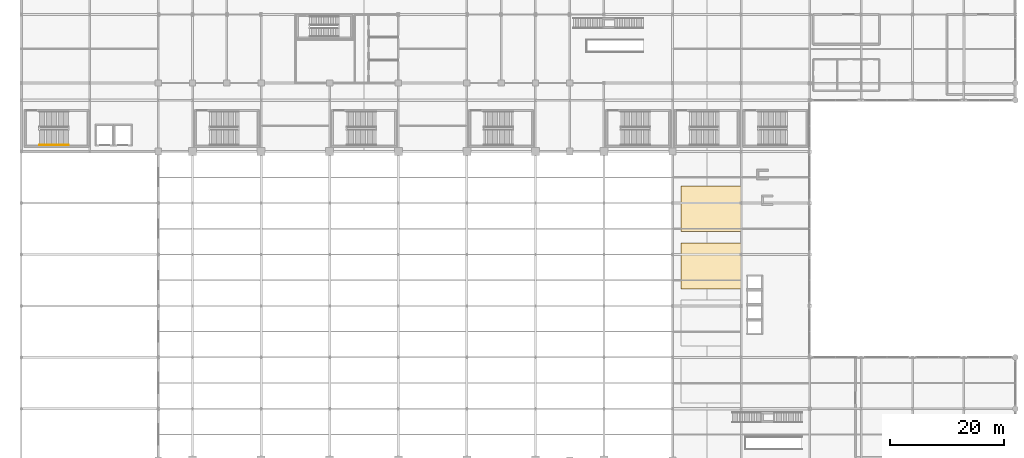
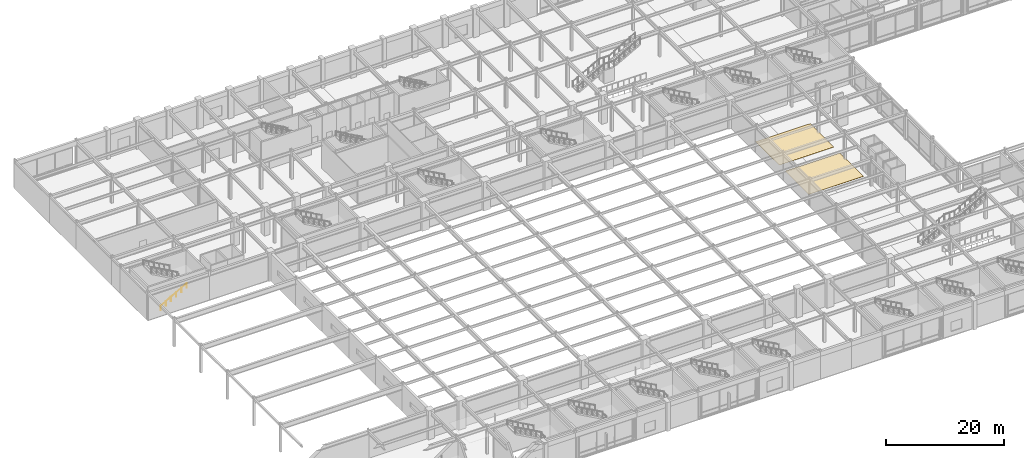
# One storey, part 99 of 105: 2 coverings, 1 railing.
"""IFC4 building model written with IfcOpenShell, lengths in metres."""

import ifcopenshell
import ifcopenshell.guid

model = None  # the IFC model being written
_history = None  # IfcOwnerHistory: only IFC2X3 demands one
_inside = {}  # id of a spatial element -> (the spatial element, [elements in it])
_under = {}  # id of a project, library or spatial element -> (it, [spatial elements below it])
_declared = {}  # id of a project -> (the project, [libraries it declares])
_typed = {}  # id of a type object -> (the type object, [elements of that type])
_made_of = {}  # id of a material, layer set ... -> (it, [elements and type objects made of it])


def new_model(schema):
    """Start an empty IFC model of exactly this schema.

    Asked for "IFC4X3", IfcOpenShell would pick the latest addendum, in which some entities
    have other attributes; the version numbers below select the first issue.
    IFC2X3 requires an IfcOwnerHistory on every rooted entity: one is made here for all.
    """
    global model, _history
    if schema == "IFC4X3":
        model = ifcopenshell.file(schema_version=(4, 3, 0, 0))
    else:
        model = ifcopenshell.file(schema=schema)
    _inside.clear()
    _under.clear()
    _declared.clear()
    _typed.clear()
    _made_of.clear()
    _history = None
    if model.schema == "IFC2X3":
        org = make("IfcOrganization", Name="unknown")
        user = make(
            "IfcPersonAndOrganization",
            ThePerson=make("IfcPerson", FamilyName="unknown"),
            TheOrganization=org,
        )
        app = make(
            "IfcApplication",
            ApplicationDeveloper=org,
            Version="unknown",
            ApplicationFullName="unknown",
            ApplicationIdentifier="unknown",
        )
        _history = make(
            "IfcOwnerHistory",
            OwningUser=user,
            OwningApplication=app,
            ChangeAction="ADDED",
            CreationDate=0,
        )
    return model


def make(cls, **values):
    """One entity of the class cls with the attributes given. An attribute that is None is left unset."""
    return model.create_entity(
        cls, **{name: value for name, value in values.items() if value is not None}
    )


def rooted(cls, **values):
    """An entity with a GlobalId (a new one), such as an element, a storey or a relation."""
    return make(cls, GlobalId=ifcopenshell.guid.new(), OwnerHistory=_history, **values)


def si_unit(unit_type, name, prefix=None):
    """IfcSIUnit, for example si_unit("LENGTHUNIT", "METRE", prefix="MILLI")."""
    return make("IfcSIUnit", UnitType=unit_type, Prefix=prefix, Name=name)


def assignment(units):
    """IfcUnitAssignment: the units of a project."""
    return None if units is None else make("IfcUnitAssignment", Units=units)


def point(xyz):
    """IfcCartesianPoint."""
    return None if xyz is None else make("IfcCartesianPoint", Coordinates=xyz)


def direction(xyz):
    """IfcDirection."""
    return None if xyz is None else make("IfcDirection", DirectionRatios=xyz)


def frame(location, z_axis=None, x_axis=None):
    """IfcAxis2Placement3D, a coordinate frame: its origin and axes. An axis left out is left unset."""
    return make(
        "IfcAxis2Placement3D",
        Location=point(location),
        Axis=direction(z_axis),
        RefDirection=direction(x_axis),
    )


def frame_2d(location, x_axis=None):
    """IfcAxis2Placement2D, a coordinate frame in the plane: its origin and x axis."""
    return make(
        "IfcAxis2Placement2D", Location=point(location), RefDirection=direction(x_axis)
    )


def origin():
    """The frame at (0, 0, 0) with its axes left unset."""
    return frame((0.0, 0.0, 0.0))


def origin_2d():
    """The frame at (0, 0) in the plane with its x axis left unset."""
    return frame_2d((0.0, 0.0))


def place(relative_to, where):
    """IfcLocalPlacement: puts the frame where relative to a parent placement (None: the world)."""
    return make(
        "IfcLocalPlacement", PlacementRelTo=relative_to, RelativePlacement=where
    )


def context(
    kind, dimensions, precision=None, world=None, true_north=None, identifier=None
):
    """IfcGeometricRepresentationContext, for example the 3D "Model" context."""
    return make(
        "IfcGeometricRepresentationContext",
        ContextIdentifier=identifier,
        ContextType=kind,
        CoordinateSpaceDimension=dimensions,
        Precision=precision,
        WorldCoordinateSystem=world,
        TrueNorth=true_north,
    )


def subcontext(parent, identifier, kind, view, scale=None):
    """IfcGeometricRepresentationSubContext, for example "Body" below "Model"."""
    return make(
        "IfcGeometricRepresentationSubContext",
        ContextIdentifier=identifier,
        ContextType=kind,
        ParentContext=parent,
        TargetScale=scale,
        TargetView=view,
    )


def project(units=None, contexts=None):
    """IfcProject with its units and contexts."""
    return rooted(
        "IfcProject",
        Name="project",
        RepresentationContexts=contexts,
        UnitsInContext=assignment(units),
    )


def spatial(cls, under=None, at=None, **own):
    """A site, building, storey or space (cls), placed at a placement, below another one or the project."""
    s = rooted(cls, ObjectPlacement=at, **own)
    if under is not None:
        _under.setdefault(under.id(), (under, []))[1].append(s)
    return s


def polyline(points):
    """IfcPolyline through the points."""
    return make("IfcPolyline", Points=[point(p) for p in points])


def profile(cls, at=None, kind="AREA", **sizes):
    """A parametric profile (cls). Its sizes go by their IFC names, for example OverallWidth=200.0."""
    return make(cls, ProfileType=kind, Position=at, **sizes)


def circle(**sizes):
    """IfcCircleProfileDef."""
    return profile("IfcCircleProfileDef", **sizes)


def outline(outer, holes=None, kind="AREA"):
    """IfcArbitraryClosedProfileDef: a profile drawn as a closed curve; with holes, ...WithVoids."""
    if holes is None:
        return make("IfcArbitraryClosedProfileDef", ProfileType=kind, OuterCurve=outer)
    return make(
        "IfcArbitraryProfileDefWithVoids",
        ProfileType=kind,
        OuterCurve=outer,
        InnerCurves=holes,
    )


def extrude(swept, where, along, depth):
    """IfcExtrudedAreaSolid: the profile swept, set in the frame where, extruded along a direction by depth."""
    return make(
        "IfcExtrudedAreaSolid",
        SweptArea=swept,
        Position=where,
        ExtrudedDirection=direction(along),
        Depth=depth,
    )


def shape(context_of_items, identifier, shape_type, items):
    """IfcShapeRepresentation: the items that make up one representation, for example the "Body"."""
    return make(
        "IfcShapeRepresentation",
        ContextOfItems=context_of_items,
        RepresentationIdentifier=identifier,
        RepresentationType=shape_type,
        Items=items,
    )


def material(Name=None, Category=None):
    """IfcMaterial."""
    return make("IfcMaterial", Name=Name, Category=Category)


def layer(
    of_material, thickness, ventilated=None, Name=None, Category=None, Priority=None
):
    """IfcMaterialLayer: one layer of a wall or slab, of a material (None: an air gap)."""
    return make(
        "IfcMaterialLayer",
        Material=of_material,
        LayerThickness=thickness,
        IsVentilated=ventilated,
        Name=Name,
        Category=Category,
        Priority=Priority,
    )


def layer_set(layers, Name=None):
    """IfcMaterialLayerSet."""
    return make("IfcMaterialLayerSet", MaterialLayers=layers, LayerSetName=Name)


def made_of(thing, what):
    """Note that an element or type object is made of a material, layer set ...; save() writes the relation."""
    if what is not None:
        _made_of.setdefault(what.id(), (what, []))[1].append(thing)
    return thing


def type_object(cls, material=None, **own):
    """A type object (cls), such as IfcWallType, which elements share."""
    return made_of(rooted(cls, **own), material)


def element(
    cls,
    number,
    at=None,
    inside=None,
    cuts=None,
    type_object=None,
    material=None,
    context=None,
    identifier="Body",
    shape_type=None,
    held_by="IfcProductDefinitionShape",
    body=None,
    shapes=None,
    **own,
):
    """One element of the class cls, such as IfcWall. Its Tag is "e" and its number.

    at: its placement. inside: the storey or other place that contains it. cuts: it is an
    opening in that element (IfcRelVoidsElement). A single representation is given by context,
    identifier, shape_type and body (its items); several are given by shapes. held_by: the class
    of the entity that holds the representations. save() writes the other relations.
    """
    e = rooted(cls, Tag="e%d" % number, ObjectPlacement=at, **own)
    if body is not None:
        shapes = [shape(context, identifier, shape_type, body)]
    if shapes is not None:
        e.Representation = make(held_by, Representations=shapes)
    if inside is not None:
        _inside.setdefault(inside.id(), (inside, []))[1].append(e)
    if cuts is not None:
        rooted(
            "IfcRelVoidsElement", RelatingBuildingElement=cuts, RelatedOpeningElement=e
        )
    if type_object is not None:
        _typed.setdefault(type_object.id(), (type_object, []))[1].append(e)
    return made_of(e, material)


def aggregate(whole, parts):
    """IfcRelAggregates: a whole, such as a stair, and the parts it consists of."""
    return rooted("IfcRelAggregates", RelatingObject=whole, RelatedObjects=parts)


def save(model, path):
    """Write the relations noted so far, then the file.

    IfcRelAggregates (storeys below a building ...), IfcRelContainedInSpatialStructure (elements
    in a storey), IfcRelDefinesByType, IfcRelAssociatesMaterial and IfcRelDeclares: one each for
    every whole, place, type object, material and project.
    """
    for whole, parts in _under.values():
        aggregate(whole, parts)
    for where, things in _inside.values():
        rooted(
            "IfcRelContainedInSpatialStructure",
            RelatedElements=things,
            RelatingStructure=where,
        )
    for kind, things in _typed.values():
        rooted("IfcRelDefinesByType", RelatedObjects=things, RelatingType=kind)
    for what, things in _made_of.values():
        rooted("IfcRelAssociatesMaterial", RelatedObjects=things, RelatingMaterial=what)
    for by, libraries in _declared.values():
        rooted("IfcRelDeclares", RelatingContext=by, RelatedDefinitions=libraries)
    model.write(path)


model = new_model("IFC4")

# Units and contexts
model_context = context("Model", 3, precision=1e-05, world=origin(), true_north=direction((0.0, 1.0)))
body_context = subcontext(model_context, "Body", "Model", "MODEL_VIEW")
ifc_project = project(units=[si_unit("LENGTHUNIT", "METRE"), si_unit("AREAUNIT", "SQUARE_METRE"), si_unit("VOLUMEUNIT", "CUBIC_METRE"), si_unit("PLANEANGLEUNIT", "RADIAN"), si_unit("MASSUNIT", "GRAM", prefix="KILO")], contexts=[model_context])

# Site, building, storey
site_placement = place(None, origin())
site = spatial("IfcSite", under=ifc_project, at=site_placement, CompositionType="ELEMENT")
building_placement = place(site_placement, origin())
building = spatial("IfcBuilding", under=site, at=building_placement, Name="Kaldorvane Square Convention Centre", CompositionType="ELEMENT")
storey_placement = place(building_placement, frame((0.0, 0.0, 6.0)))
storey = spatial("IfcBuildingStorey", under=building, at=storey_placement, Name="L01", CompositionType="ELEMENT", Elevation=6.0)

# Coverings
ifc_material_1 = material(Name="Polished Aggregate Terrazzo Flooring")
ifc_layer = layer(ifc_material_1, 0.0200042724609375)
ifc_layer_set = layer_set([ifc_layer], Name="Polished Aggregate Terrazzo Flooring")
covering_type = type_object("IfcCoveringType", Name="CV-FLR-020", PredefinedType="FLOORING", material=ifc_layer_set)
covering_1_placement = place(storey_placement, origin())
element("IfcCovering", 1, at=covering_1_placement, inside=storey, type_object=covering_type, Name="Mezzanine Gallery Terrazzo Zone 3", PredefinedType="FLOORING", context=body_context, shape_type="SweptSolid", body=[
    extrude(outline(polyline([(115.5, 48.0), (126.19999694824219, 48.0), (126.19999694824219, 56.0), (115.5, 56.0), (115.5, 48.0)])), origin(), (0.0, 0.0, 1.0), 0.0200042724609375),
])
covering_2_placement = place(storey_placement, origin())
element("IfcCovering", 2, at=covering_2_placement, inside=storey, type_object=covering_type, Name="Mezzanine Gallery Terrazzo Zone 4", PredefinedType="FLOORING", context=body_context, shape_type="SweptSolid", body=[
    extrude(outline(polyline([(115.5, 58.0), (126.19999694824219, 58.0), (126.19999694824219, 66.0), (115.5, 66.0), (115.5, 58.0)])), origin(), (0.0, 0.0, 1.0), 0.0200042724609375),
])

# Railing
ifc_material_2 = material(Name="Architectural Painted Steel", Category="steel")
railing_type = type_object("IfcRailingType", Name="RL-HAND-915", PredefinedType="HANDRAIL", material=ifc_material_2)
railing_placement = place(storey_placement, frame((3.2100067138671875, 73.16999816894531, 0.1666717529296875)))
element("IfcRailing", 3, at=railing_placement, inside=storey, type_object=railing_type, Name="Convention Exit Stair C12 Wall Handrail 1 (L01)", PredefinedType="HANDRAIL", context=body_context, shape_type="SweptSolid", body=[
    extrude(circle(Radius=0.0240020751953125, at=origin_2d()), frame((0.0, 0.0, 0.8909912109375), z_axis=(0.874157276122, 0.0, 0.485642931179), x_axis=(0.0, 1.0, 0.0)), (0.0, 0.0, 1.0), 5.8341827392578125),
    extrude(circle(Radius=0.02099609375, at=origin_2d()), origin(), (0.0, 0.0, 1.0), 0.8669891357421875),
    extrude(circle(Radius=0.02099609375, at=origin_2d()), frame((1.0200042724609375, 0.0, 0.5666656494140625)), (0.0, 0.0, 1.0), 0.8669891357421875),
    extrude(circle(Radius=0.02099609375, at=origin_2d()), frame((2.0399932861328125, 0.0, 1.133331298828125)), (0.0, 0.0, 1.0), 0.8669891357421875),
    extrude(circle(Radius=0.02099609375, at=origin_2d()), frame((3.05999755859375, 0.0, 1.6999969482421875)), (0.0, 0.0, 1.0), 0.8669891357421875),
    extrude(circle(Radius=0.02099609375, at=origin_2d()), frame((4.079986572265625, 0.0, 2.26666259765625)), (0.0, 0.0, 1.0), 0.8669891357421875),
    extrude(circle(Radius=0.02099609375, at=origin_2d()), frame((5.0999908447265625, 0.0, 2.8333282470703125)), (0.0, 0.0, 1.0), 0.8669891357421875),
])

save(model, "model.ifc")
